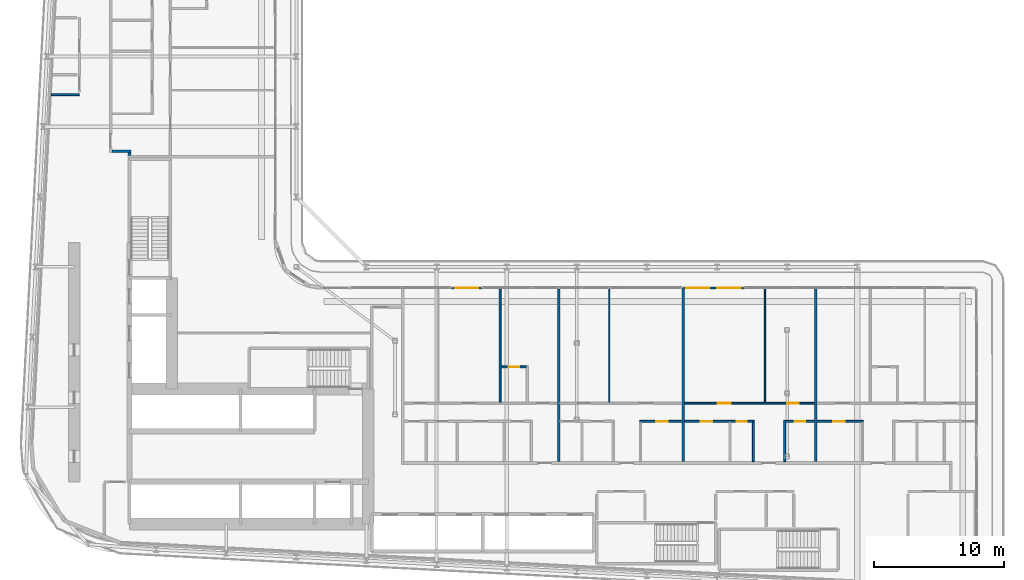
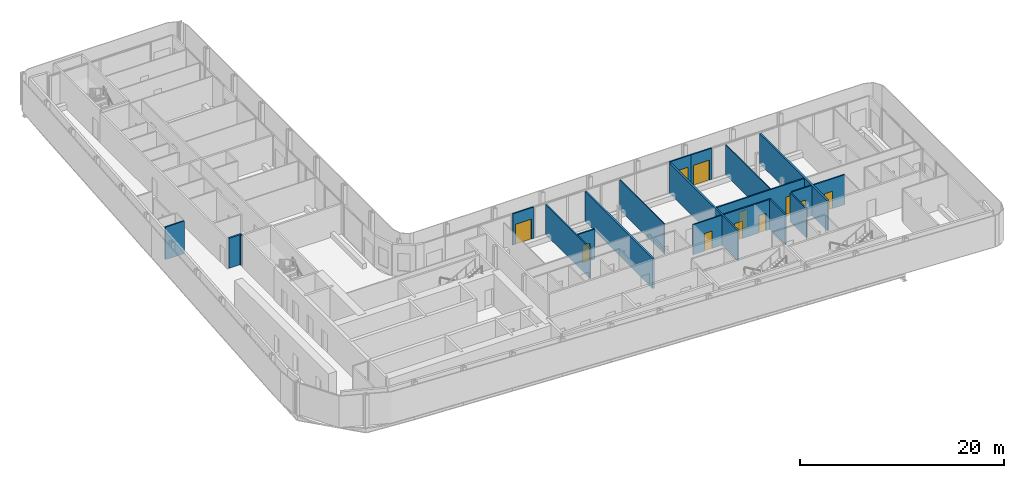
# One storey, part 16 of 27: 20 walls, 11 doors, 11 openings.
"""IFC4 building model written with IfcOpenShell, lengths in metres."""

from ifc_helpers import new_model, si_unit, direction, frame, frame_2d, origin, place, context, subcontext, project, spatial, rectangle, extrude, source, transform, mapped, material, layer, layer_set, type_object, element, fill, save


model = new_model("IFC4")

# Units and contexts
model_context = context("Model", 3, precision=1e-05, world=origin(), true_north=direction((0.0, 1.0)))
body_context = subcontext(model_context, "Body", "Model", "MODEL_VIEW")
ifc_project = project(units=[si_unit("LENGTHUNIT", "METRE"), si_unit("AREAUNIT", "SQUARE_METRE"), si_unit("VOLUMEUNIT", "CUBIC_METRE"), si_unit("PLANEANGLEUNIT", "RADIAN"), si_unit("MASSUNIT", "GRAM", prefix="KILO")], contexts=[model_context])

# Site, building, storey
site_placement = place(None, origin())
site = spatial("IfcSite", under=ifc_project, at=site_placement, CompositionType="ELEMENT")
building_placement = place(site_placement, origin())
building = spatial("IfcBuilding", under=site, at=building_placement, Name="Kheshtan School and Residences Tower", CompositionType="ELEMENT")
storey_placement = place(building_placement, frame((0.0, 0.0, 101.89990234375)))
storey = spatial("IfcBuildingStorey", under=building, at=storey_placement, Name="L23", CompositionType="ELEMENT", Elevation=101.89990234375)

# Walls
ifc_material_1 = material(Name="Gypsum board on steel studs with fire boards", Category="steel")
ifc_layer_1 = layer(ifc_material_1, 0.199951171875)
ifc_layer_set_1 = layer_set([ifc_layer_1], Name="Corridor wall 200")
wall_type_1 = type_object("IfcWallType", Name="Corridor wall 200", PredefinedType="PARTITIONING", material=ifc_layer_set_1)
wall_1_placement = place(storey_placement, frame((33.39990234375, 54.5, 0.0), z_axis=(0.0, 0.0, 1.0), x_axis=(1.0, 0.0, 0.0)))
element("IfcWall", 1, at=wall_1_placement, inside=storey, type_object=wall_type_1, Name="Partition L23-002", PredefinedType="PARTITIONING", context=body_context, shape_type="SweptSolid", body=[
    extrude(rectangle(XDim=1.4501953125, YDim=0.199951171875, at=frame_2d((0.72509765625, 0.0))), origin(), (0.0, 0.0, 1.0), 3.60009765625),
])
wall_2_placement = place(storey_placement, frame((34.75, 54.199951171875, 0.0), z_axis=(0.0, 0.0, 1.0), x_axis=(0.0, 1.0, 0.0)))
element("IfcWall", 2, at=wall_2_placement, inside=storey, type_object=wall_type_1, Name="Partition L23-013", PredefinedType="PARTITIONING", context=body_context, shape_type="SweptSolid", body=[
    extrude(rectangle(XDim=0.199951171875, YDim=0.199951171875, at=frame_2d((0.10009765625, 0.0))), origin(), (0.0, 0.0, 1.0), 3.60009765625),
])

# Wall, opening, door
ifc_material_2 = material(Name="Aluminium frame wall with insulated infill", Category="aluminium")
ifc_layer_2 = layer(ifc_material_2, 0.14990234375)
ifc_layer_set_2 = layer_set([ifc_layer_2], Name="Glazing frame wall 150")
wall_type_2 = type_object("IfcWallType", Name="Glazing frame wall 150", PredefinedType="SOLIDWALL", material=ifc_layer_set_2)
wall_3_placement = place(storey_placement, frame((59.52392578125, 43.97509765625, 0.0), z_axis=(0.0, 0.0, 1.0), x_axis=(1.0, 0.0, 0.0)))
wall_3 = element("IfcWall", 3, at=wall_3_placement, inside=storey, type_object=wall_type_2, Name="Balcony door wall L23 8.2", PredefinedType="SOLIDWALL", context=body_context, shape_type="SweptSolid", body=[
    extrude(rectangle(XDim=2.400146484375, YDim=0.14990234375, at=frame_2d((1.2001953125, 0.0))), origin(), (0.0, 0.0, 1.0), 3.75),
])
opening_1_placement = place(wall_3_placement, frame((0.300048828125, 0.0, 0.0)))
opening_1 = element("IfcOpeningElement", 4, at=opening_1_placement, cuts=wall_3, Name="Opening BD", PredefinedType="OPENING", context=body_context, shape_type="SweptSolid", body=[
    extrude(rectangle(XDim=1.800048828125, YDim=2.39990234375, at=frame_2d((0.89990234375, 1.199951171875))), frame((0.0, 0.0849609375, 0.0), z_axis=(0.0, -1.0, 0.0), x_axis=(1.0, 0.0, 0.0)), (0.0, 0.0, 1.0), 0.169921875),
])
ifc_material_3 = material(Name="Clear low-e glass in thermally broken aluminium frame", Category="aluminium")
door_type_1 = type_object("IfcDoorType", Name="Balcony sliding door", OperationType="SLIDING_TO_LEFT", PredefinedType="DOOR", material=ifc_material_3)
shared_shape_1 = source(origin(), body_context, "Body", "SweptSolid", [
    extrude(rectangle(XDim=1.800048828125, YDim=2.39990234375, at=frame_2d((0.89990234375, 1.199951171875))), frame((0.0, 0.02490234375, 0.0), z_axis=(0.0, -1.0, 0.0), x_axis=(1.0, 0.0, 0.0)), (0.0, 0.0, 1.0), 0.050048828125),
])
door_1_placement = place(opening_1_placement, origin())
door_1 = element("IfcDoor", 5, at=door_1_placement, inside=storey, type_object=door_type_1, Name="Balcony door L23 8.2", OperationType="SLIDING_TO_LEFT", OverallHeight=2.39990234375, OverallWidth=1.800048828125, PredefinedType="DOOR", context=body_context, shape_type="MappedRepresentation", body=[
    mapped(shared_shape_1, transform((0.0, 0.0, 0.0), x_axis=(1.0, 0.0, 0.0), y_axis=(0.0, 1.0, 0.0), z_axis=(0.0, 0.0, 1.0), scale=1.0)),
])
fill(opening_1, door_1)

wall_4_placement = place(storey_placement, frame((77.31201171875, 43.97509765625, 0.0), z_axis=(0.0, 0.0, 1.0), x_axis=(1.0, 0.0, 0.0)))
wall_4 = element("IfcWall", 6, at=wall_4_placement, inside=storey, type_object=wall_type_2, Name="Balcony door wall L23 8.3", PredefinedType="SOLIDWALL", context=body_context, shape_type="SweptSolid", body=[
    extrude(rectangle(XDim=2.39990234375, YDim=0.14990234375, at=frame_2d((1.199951171875, 0.0))), origin(), (0.0, 0.0, 1.0), 3.75),
])
opening_2_placement = place(wall_4_placement, frame((0.300048828125, 0.0, 0.0)))
opening_2 = element("IfcOpeningElement", 7, at=opening_2_placement, cuts=wall_4, Name="Opening BD", PredefinedType="OPENING", context=body_context, shape_type="SweptSolid", body=[
    extrude(rectangle(XDim=1.800048828125, YDim=2.39990234375, at=frame_2d((0.89990234375, 1.199951171875))), frame((0.0, 0.0849609375, 0.0), z_axis=(0.0, -1.0, 0.0), x_axis=(1.0, 0.0, 0.0)), (0.0, 0.0, 1.0), 0.169921875),
])
door_2_placement = place(opening_2_placement, origin())
door_2 = element("IfcDoor", 8, at=door_2_placement, inside=storey, type_object=door_type_1, Name="Balcony door L23 8.3", OperationType="SLIDING_TO_LEFT", OverallHeight=2.39990234375, OverallWidth=1.800048828125, PredefinedType="DOOR", context=body_context, shape_type="MappedRepresentation", body=[
    mapped(shared_shape_1, transform((0.0, 0.0, 0.0), x_axis=(1.0, 0.0, 0.0), y_axis=(0.0, 1.0, 0.0), z_axis=(0.0, 0.0, 1.0), scale=1.0)),
])
fill(opening_2, door_2)

wall_5_placement = place(storey_placement, frame((79.7119140625, 43.97509765625, 0.0), z_axis=(0.0, 0.0, 1.0), x_axis=(1.0, 0.0, 0.0)))
wall_5 = element("IfcWall", 9, at=wall_5_placement, inside=storey, type_object=wall_type_2, Name="Balcony door wall L23 8.4", PredefinedType="SOLIDWALL", context=body_context, shape_type="SweptSolid", body=[
    extrude(rectangle(XDim=2.400146484375, YDim=0.14990234375, at=frame_2d((1.2001953125, 0.0))), origin(), (0.0, 0.0, 1.0), 3.75),
])
opening_3_placement = place(wall_5_placement, frame((0.300048828125, 0.0, 0.0)))
opening_3 = element("IfcOpeningElement", 10, at=opening_3_placement, cuts=wall_5, Name="Opening BD", PredefinedType="OPENING", context=body_context, shape_type="SweptSolid", body=[
    extrude(rectangle(XDim=1.800048828125, YDim=2.39990234375, at=frame_2d((0.89990234375, 1.199951171875))), frame((0.0, 0.0849609375, 0.0), z_axis=(0.0, -1.0, 0.0), x_axis=(1.0, 0.0, 0.0)), (0.0, 0.0, 1.0), 0.169921875),
])
door_3_placement = place(opening_3_placement, origin())
door_3 = element("IfcDoor", 11, at=door_3_placement, inside=storey, type_object=door_type_1, Name="Balcony door L23 8.4", OperationType="SLIDING_TO_LEFT", OverallHeight=2.39990234375, OverallWidth=1.800048828125, PredefinedType="DOOR", context=body_context, shape_type="MappedRepresentation", body=[
    mapped(shared_shape_1, transform((0.0, 0.0, 0.0), x_axis=(1.0, 0.0, 0.0), y_axis=(0.0, 1.0, 0.0), z_axis=(0.0, 0.0, 1.0), scale=1.0)),
])
fill(opening_3, door_3)

# Walls
ifc_material_4 = material(Name="Gypsum board on steel studs", Category="steel")
ifc_layer_3 = layer(ifc_material_4, 0.10009765625)
ifc_layer_set_3 = layer_set([ifc_layer_3], Name="Gypsum partition 100")
wall_type_3 = type_object("IfcWallType", Name="Gypsum partition 100", PredefinedType="PARTITIONING", material=ifc_layer_set_3)
for number, where, z_axis, x_axis, name in (
    (12, (71.699951171875, 35.175048828125, 0.0), (0.0, 0.0, 1.0), (0.0, 1.0, 0.0), "Partition L23-045"),
    (13, (83.699951171875, 35.175048828125, 0.0), (0.0, 0.0, 1.0), (0.0, 1.0, 0.0), "Partition L23-054"),
):
    element("IfcWall", number, at=place(storey_placement, frame(where, z_axis=z_axis, x_axis=x_axis)), inside=storey, type_object=wall_type_3, Name=name, PredefinedType="PARTITIONING", context=body_context, shape_type="SweptSolid", body=[
        extrude(rectangle(XDim=8.724853515625, YDim=0.10009765625, at=frame_2d((4.3623046875, 0.0))), origin(), (0.0, 0.0, 1.0), 3.60009765625),
    ])
ifc_material_5 = material(Name="Fire-board shaft wall system")
ifc_layer_4 = layer(ifc_material_5, 0.14990234375)
ifc_layer_set_4 = layer_set([ifc_layer_4], Name="Service room wall 150")
wall_type_4 = type_object("IfcWallType", Name="Service room wall 150", PredefinedType="PARTITIONING", material=ifc_layer_set_4)
wall_6_placement = place(storey_placement, frame((28.739013671875, 58.8720703125, 0.0), z_axis=(0.0, 0.0, 1.0), x_axis=(1.0, 0.0, 0.0)))
element("IfcWall", 14, at=wall_6_placement, inside=storey, type_object=wall_type_4, Name="Service room wall", PredefinedType="PARTITIONING", context=body_context, shape_type="SweptSolid", body=[
    extrude(rectangle(XDim=2.160888671875, YDim=0.14990234375, at=frame_2d((1.08056640625, 0.0))), origin(), (0.0, 0.0, 1.0), 3.900146484375),
])
ifc_material_6 = material(Name="Twin gypsum board on steel studs with mineral wool", Category="steel")
ifc_layer_5 = layer(ifc_material_6, 0.199951171875)
ifc_layer_set_5 = layer_set([ifc_layer_5], Name="Unit demising wall 200")
wall_type_5 = type_object("IfcWallType", Name="Unit demising wall 200", PredefinedType="PARTITIONING", material=ifc_layer_set_5)
for number, where, z_axis, x_axis, name in (
    (15, (67.800048828125, 30.60009765625, 0.0), (0.0, 0.0, 1.0), (0.0, 1.0, 0.0), "Partition L23-041"),
    (16, (77.39990234375, 30.60009765625, 0.0), (0.0, 0.0, 1.0), (0.0, 1.0, 0.0), "Partition L23-049"),
    (17, (87.60009765625, 30.60009765625, 0.0), (0.0, 0.0, 1.0), (0.0, 1.0, 0.0), "Partition L23-057"),
):
    element("IfcWall", number, at=place(storey_placement, frame(where, z_axis=z_axis, x_axis=x_axis)), inside=storey, type_object=wall_type_5, Name=name, PredefinedType="PARTITIONING", context=body_context, shape_type="SweptSolid", body=[
        extrude(rectangle(XDim=13.2998046875, YDim=0.199951171875, at=frame_2d((6.64990234375, 0.0))), origin(), (0.0, 0.0, 1.0), 3.60009765625),
    ])
ifc_material_7 = material(Name="Moisture-resistant gypsum board on steel studs", Category="steel")
ifc_layer_6 = layer(ifc_material_7, 0.14990234375)
ifc_layer_set_6 = layer_set([ifc_layer_6], Name="Wet-room partition 150")
wall_type_6 = type_object("IfcWallType", Name="Wet-room partition 150", PredefinedType="PARTITIONING", material=ifc_layer_set_6)
wall_7_placement = place(storey_placement, frame((63.300048828125, 35.175048828125, 0.0), z_axis=(0.0, 0.0, 1.0), x_axis=(0.0, 1.0, 0.0)))
element("IfcWall", 18, at=wall_7_placement, inside=storey, type_object=wall_type_6, Name="Partition L23-036", PredefinedType="PARTITIONING", context=body_context, shape_type="SweptSolid", body=[
    extrude(rectangle(XDim=8.724853515625, YDim=0.14990234375, at=frame_2d((4.3623046875, 0.0))), origin(), (0.0, 0.0, 1.0), 3.60009765625),
])

# Wall, opening, door
wall_8_placement = place(storey_placement, frame((63.375, 37.89990234375, 0.0), z_axis=(0.0, 0.0, 1.0), x_axis=(1.0, 0.0, 0.0)))
wall_8 = element("IfcWall", 19, at=wall_8_placement, inside=storey, type_object=wall_type_6, Name="Partition L23-037", PredefinedType="PARTITIONING", context=body_context, shape_type="SweptSolid", body=[
    extrude(rectangle(XDim=1.949951171875, YDim=0.14990234375, at=frame_2d((0.97509765625, 0.0))), origin(), (0.0, 0.0, 1.0), 3.60009765625),
])
opening_4_placement = place(wall_8_placement, frame((0.574951171875, 0.0, 0.0)))
opening_4 = element("IfcOpeningElement", 20, at=opening_4_placement, cuts=wall_8, Name="Opening D23-003", PredefinedType="OPENING", context=body_context, shape_type="SweptSolid", body=[
    extrude(rectangle(XDim=0.800048828125, YDim=2.10009765625, at=frame_2d((0.39990234375, 1.050048828125))), frame((0.0, 0.0849609375, 0.0), z_axis=(0.0, -1.0, 0.0), x_axis=(1.0, 0.0, 0.0)), (0.0, 0.0, 1.0), 0.169921875),
])
ifc_material_8 = material(Name="Veneered timber door leaf", Category="wood")
door_type_2 = type_object("IfcDoorType", Name="Door 800 x 2100", OperationType="SINGLE_SWING_LEFT", PredefinedType="DOOR", material=ifc_material_8)
shared_shape_2 = source(origin(), body_context, "Body", "SweptSolid", [
    extrude(rectangle(XDim=0.800048828125, YDim=2.10009765625, at=frame_2d((0.39990234375, 1.050048828125))), frame((0.0, 0.02490234375, 0.0), z_axis=(0.0, -1.0, 0.0), x_axis=(1.0, 0.0, 0.0)), (0.0, 0.0, 1.0), 0.050048828125),
])
door_4_placement = place(opening_4_placement, origin())
door_4 = element("IfcDoor", 21, at=door_4_placement, inside=storey, type_object=door_type_2, Name="Door D23-003", OperationType="SINGLE_SWING_LEFT", OverallHeight=2.10009765625, OverallWidth=0.800048828125, PredefinedType="DOOR", context=body_context, shape_type="MappedRepresentation", body=[
    mapped(shared_shape_2, transform((0.0, 0.0, 0.0), x_axis=(1.0, 0.0, 0.0), y_axis=(0.0, 1.0, 0.0), z_axis=(0.0, 0.0, 1.0), scale=1.0)),
])
fill(opening_4, door_4)

wall_9_placement = place(storey_placement, frame((74.050048828125, 33.699951171875, 0.0), z_axis=(0.0, 0.0, 1.0), x_axis=(1.0, 0.0, 0.0)))
wall_9 = element("IfcWall", 22, at=wall_9_placement, inside=storey, type_object=wall_type_6, Name="Partition L23-047", PredefinedType="PARTITIONING", context=body_context, shape_type="SweptSolid", body=[
    extrude(rectangle(XDim=3.25, YDim=0.14990234375, at=frame_2d((1.625, 0.0))), origin(), (0.0, 0.0, 1.0), 3.60009765625),
])
opening_5_placement = place(wall_9_placement, frame((1.25, 0.0, 0.0)))
opening_5 = element("IfcOpeningElement", 23, at=opening_5_placement, cuts=wall_9, Name="Opening D23-013", PredefinedType="OPENING", context=body_context, shape_type="SweptSolid", body=[
    extrude(rectangle(XDim=0.89990234375, YDim=2.10009765625, at=frame_2d((0.449951171875, 1.050048828125))), frame((0.0, 0.0849609375, 0.0), z_axis=(0.0, -1.0, 0.0), x_axis=(1.0, 0.0, 0.0)), (0.0, 0.0, 1.0), 0.169921875),
])
door_type_3 = type_object("IfcDoorType", Name="Door 900 x 2100", OperationType="SINGLE_SWING_LEFT", PredefinedType="DOOR", material=ifc_material_8)
shared_shape_3 = source(origin(), body_context, "Body", "SweptSolid", [
    extrude(rectangle(XDim=0.89990234375, YDim=2.10009765625, at=frame_2d((0.449951171875, 1.050048828125))), frame((0.0, 0.02490234375, 0.0), z_axis=(0.0, -1.0, 0.0), x_axis=(1.0, 0.0, 0.0)), (0.0, 0.0, 1.0), 0.050048828125),
])
door_5_placement = place(opening_5_placement, origin())
door_5 = element("IfcDoor", 24, at=door_5_placement, inside=storey, type_object=door_type_3, Name="Door D23-013", OperationType="SINGLE_SWING_LEFT", OverallHeight=2.10009765625, OverallWidth=0.89990234375, PredefinedType="DOOR", context=body_context, shape_type="MappedRepresentation", body=[
    mapped(shared_shape_3, transform((0.0, 0.0, 0.0), x_axis=(1.0, 0.0, 0.0), y_axis=(0.0, 1.0, 0.0), z_axis=(0.0, 0.0, 1.0), scale=1.0)),
])
fill(opening_5, door_5)

# Wall, openings, doors
wall_10_placement = place(storey_placement, frame((77.5, 33.699951171875, 0.0), z_axis=(0.0, 0.0, 1.0), x_axis=(1.0, 0.0, 0.0)))
wall_10 = element("IfcWall", 25, at=wall_10_placement, inside=storey, type_object=wall_type_6, Name="Partition L23-050", PredefinedType="PARTITIONING", context=body_context, shape_type="SweptSolid", body=[
    extrude(rectangle(XDim=5.375, YDim=0.14990234375, at=frame_2d((2.6875, 0.0))), origin(), (0.0, 0.0, 1.0), 3.60009765625),
])
opening_6_placement = place(wall_10_placement, frame((1.25, 0.0, 0.0)))
opening_6 = element("IfcOpeningElement", 26, at=opening_6_placement, cuts=wall_10, Name="Opening D23-019", PredefinedType="OPENING", context=body_context, shape_type="SweptSolid", body=[
    extrude(rectangle(XDim=0.89990234375, YDim=2.10009765625, at=frame_2d((0.449951171875, 1.050048828125))), frame((0.0, 0.0849609375, 0.0), z_axis=(0.0, -1.0, 0.0), x_axis=(1.0, 0.0, 0.0)), (0.0, 0.0, 1.0), 0.169921875),
])
opening_7_placement = place(wall_10_placement, frame((4.0, 0.0, 0.0)))
opening_7 = element("IfcOpeningElement", 27, at=opening_7_placement, cuts=wall_10, Name="Opening D23-021", PredefinedType="OPENING", context=body_context, shape_type="SweptSolid", body=[
    extrude(rectangle(XDim=0.800048828125, YDim=2.10009765625, at=frame_2d((0.39990234375, 1.050048828125))), frame((0.0, 0.0849609375, 0.0), z_axis=(0.0, -1.0, 0.0), x_axis=(1.0, 0.0, 0.0)), (0.0, 0.0, 1.0), 0.169921875),
])
door_6_placement = place(opening_7_placement, origin())
door_6 = element("IfcDoor", 28, at=door_6_placement, inside=storey, type_object=door_type_2, Name="Door D23-021", OperationType="SINGLE_SWING_LEFT", OverallHeight=2.10009765625, OverallWidth=0.800048828125, PredefinedType="DOOR", context=body_context, shape_type="MappedRepresentation", body=[
    mapped(shared_shape_2, transform((0.0, 0.0, 0.0), x_axis=(1.0, 0.0, 0.0), y_axis=(0.0, 1.0, 0.0), z_axis=(0.0, 0.0, 1.0), scale=1.0)),
])
fill(opening_7, door_6)
door_7_placement = place(opening_6_placement, origin())
door_7 = element("IfcDoor", 29, at=door_7_placement, inside=storey, type_object=door_type_3, Name="Door D23-019", OperationType="SINGLE_SWING_LEFT", OverallHeight=2.10009765625, OverallWidth=0.89990234375, PredefinedType="DOOR", context=body_context, shape_type="MappedRepresentation", body=[
    mapped(shared_shape_3, transform((0.0, 0.0, 0.0), x_axis=(1.0, 0.0, 0.0), y_axis=(0.0, 1.0, 0.0), z_axis=(0.0, 0.0, 1.0), scale=1.0)),
])
fill(opening_6, door_7)

wall_11_placement = place(storey_placement, frame((77.5, 35.10009765625, 0.0), z_axis=(0.0, 0.0, 1.0), x_axis=(1.0, 0.0, 0.0)))
wall_11 = element("IfcWall", 30, at=wall_11_placement, inside=storey, type_object=wall_type_6, Name="Partition L23-051", PredefinedType="PARTITIONING", context=body_context, shape_type="SweptSolid", body=[
    extrude(rectangle(XDim=10.0, YDim=0.14990234375, at=frame_2d((5.0, 0.0))), origin(), (0.0, 0.0, 1.0), 3.60009765625),
])
opening_8_placement = place(wall_11_placement, frame((7.89990234375, 0.0, 0.0)))
opening_8 = element("IfcOpeningElement", 31, at=opening_8_placement, cuts=wall_11, Name="Opening D23-017", PredefinedType="OPENING", context=body_context, shape_type="SweptSolid", body=[
    extrude(rectangle(XDim=0.89990234375, YDim=2.10009765625, at=frame_2d((0.449951171875, 1.050048828125))), frame((0.0, 0.0849609375, 0.0), z_axis=(0.0, -1.0, 0.0), x_axis=(1.0, 0.0, 0.0)), (0.0, 0.0, 1.0), 0.169921875),
])
opening_9_placement = place(wall_11_placement, frame((2.550048828125, 0.0, 0.0)))
opening_9 = element("IfcOpeningElement", 32, at=opening_9_placement, cuts=wall_11, Name="Opening D23-020", PredefinedType="OPENING", context=body_context, shape_type="SweptSolid", body=[
    extrude(rectangle(XDim=1.0, YDim=2.10009765625, at=frame_2d((0.5, 1.050048828125))), frame((0.0, 0.0849609375, 0.0), z_axis=(0.0, -1.0, 0.0), x_axis=(1.0, 0.0, 0.0)), (0.0, 0.0, 1.0), 0.169921875),
])
door_type_4 = type_object("IfcDoorType", Name="Door 1000 x 2100", OperationType="SINGLE_SWING_LEFT", PredefinedType="DOOR", material=ifc_material_8)
shared_shape_4 = source(origin(), body_context, "Body", "SweptSolid", [
    extrude(rectangle(XDim=1.0, YDim=2.10009765625, at=frame_2d((0.5, 1.050048828125))), frame((0.0, 0.02490234375, 0.0), z_axis=(0.0, -1.0, 0.0), x_axis=(1.0, 0.0, 0.0)), (0.0, 0.0, 1.0), 0.050048828125),
])
door_8_placement = place(opening_9_placement, origin())
door_8 = element("IfcDoor", 33, at=door_8_placement, inside=storey, type_object=door_type_4, Name="Door D23-020", OperationType="SINGLE_SWING_LEFT", OverallHeight=2.10009765625, OverallWidth=1.0, PredefinedType="DOOR", context=body_context, shape_type="MappedRepresentation", body=[
    mapped(shared_shape_4, transform((0.0, 0.0, 0.0), x_axis=(1.0, 0.0, 0.0), y_axis=(0.0, 1.0, 0.0), z_axis=(0.0, 0.0, 1.0), scale=1.0)),
])
fill(opening_9, door_8)
door_9_placement = place(opening_8_placement, origin())
door_9 = element("IfcDoor", 34, at=door_9_placement, inside=storey, type_object=door_type_3, Name="Door D23-017", OperationType="SINGLE_SWING_LEFT", OverallHeight=2.10009765625, OverallWidth=0.89990234375, PredefinedType="DOOR", context=body_context, shape_type="MappedRepresentation", body=[
    mapped(shared_shape_3, transform((0.0, 0.0, 0.0), x_axis=(1.0, 0.0, 0.0), y_axis=(0.0, 1.0, 0.0), z_axis=(0.0, 0.0, 1.0), scale=1.0)),
])
fill(opening_8, door_9)

# Walls
wall_12_placement = place(storey_placement, frame((82.800048828125, 30.60009765625, 0.0), z_axis=(0.0, 0.0, 1.0), x_axis=(0.0, 1.0, 0.0)))
element("IfcWall", 35, at=wall_12_placement, inside=storey, type_object=wall_type_6, Name="Partition L23-053", PredefinedType="PARTITIONING", context=body_context, shape_type="SweptSolid", body=[
    extrude(rectangle(XDim=3.02490234375, YDim=0.14990234375, at=frame_2d((1.512451171875, 0.0))), origin(), (0.0, 0.0, 1.0), 3.60009765625),
])
wall_13_placement = place(storey_placement, frame((85.199951171875, 30.60009765625, 0.0), z_axis=(0.0, 0.0, 1.0), x_axis=(0.0, 1.0, 0.0)))
element("IfcWall", 36, at=wall_13_placement, inside=storey, type_object=wall_type_6, Name="Partition L23-055", PredefinedType="PARTITIONING", context=body_context, shape_type="SweptSolid", body=[
    extrude(rectangle(XDim=3.1748046875, YDim=0.14990234375, at=frame_2d((1.58740234375, 0.0))), origin(), (0.0, 0.0, 1.0), 3.447021484375),
])

# Wall, opening, door
wall_14_placement = place(storey_placement, frame((85.27490234375, 33.699951171875, 0.0), z_axis=(0.0, 0.0, 1.0), x_axis=(1.0, 0.0, 0.0)))
wall_14 = element("IfcWall", 37, at=wall_14_placement, inside=storey, type_object=wall_type_6, Name="Partition L23-056", PredefinedType="PARTITIONING", context=body_context, shape_type="SweptSolid", body=[
    extrude(rectangle(XDim=2.22509765625, YDim=0.14990234375, at=frame_2d((1.112548828125, 0.0))), origin(), (0.0, 0.0, 1.0), 3.60009765625),
])
opening_10_placement = place(wall_14_placement, frame((0.72509765625, 0.0, 0.0)))
opening_10 = element("IfcOpeningElement", 38, at=opening_10_placement, cuts=wall_14, Name="Opening D23-016", PredefinedType="OPENING", context=body_context, shape_type="SweptSolid", body=[
    extrude(rectangle(XDim=0.800048828125, YDim=2.10009765625, at=frame_2d((0.39990234375, 1.050048828125))), frame((0.0, 0.0849609375, 0.0), z_axis=(0.0, -1.0, 0.0), x_axis=(1.0, 0.0, 0.0)), (0.0, 0.0, 1.0), 0.169921875),
])
door_10_placement = place(opening_10_placement, origin())
door_10 = element("IfcDoor", 39, at=door_10_placement, inside=storey, type_object=door_type_2, Name="Door D23-016", OperationType="SINGLE_SWING_RIGHT", OverallHeight=2.10009765625, OverallWidth=0.800048828125, PredefinedType="DOOR", context=body_context, shape_type="MappedRepresentation", body=[
    mapped(shared_shape_2, transform((0.0, 0.0, 0.0), x_axis=(1.0, 0.0, 0.0), y_axis=(0.0, 1.0, 0.0), z_axis=(0.0, 0.0, 1.0), scale=1.0)),
])
fill(opening_10, door_10)

wall_15_placement = place(storey_placement, frame((87.699951171875, 33.699951171875, 0.0), z_axis=(0.0, 0.0, 1.0), x_axis=(1.0, 0.0, 0.0)))
wall_15 = element("IfcWall", 40, at=wall_15_placement, inside=storey, type_object=wall_type_6, Name="Partition L23-058", PredefinedType="PARTITIONING", context=body_context, shape_type="SweptSolid", body=[
    extrude(rectangle(XDim=3.550048828125, YDim=0.14990234375, at=frame_2d((1.77490234375, 0.0))), origin(), (0.0, 0.0, 1.0), 3.60009765625),
])
opening_11_placement = place(wall_15_placement, frame((1.25, 0.0, 0.0)))
opening_11 = element("IfcOpeningElement", 41, at=opening_11_placement, cuts=wall_15, Name="Opening D23-026", PredefinedType="OPENING", context=body_context, shape_type="SweptSolid", body=[
    extrude(rectangle(XDim=0.89990234375, YDim=2.10009765625, at=frame_2d((0.449951171875, 1.050048828125))), frame((0.0, 0.0849609375, 0.0), z_axis=(0.0, -1.0, 0.0), x_axis=(1.0, 0.0, 0.0)), (0.0, 0.0, 1.0), 0.169921875),
])
door_11_placement = place(opening_11_placement, origin())
door_11 = element("IfcDoor", 42, at=door_11_placement, inside=storey, type_object=door_type_3, Name="Door D23-026", OperationType="SINGLE_SWING_LEFT", OverallHeight=2.10009765625, OverallWidth=0.89990234375, PredefinedType="DOOR", context=body_context, shape_type="MappedRepresentation", body=[
    mapped(shared_shape_3, transform((0.0, 0.0, 0.0), x_axis=(1.0, 0.0, 0.0), y_axis=(0.0, 1.0, 0.0), z_axis=(0.0, 0.0, 1.0), scale=1.0)),
])
fill(opening_11, door_11)

save(model, "model.ifc")
